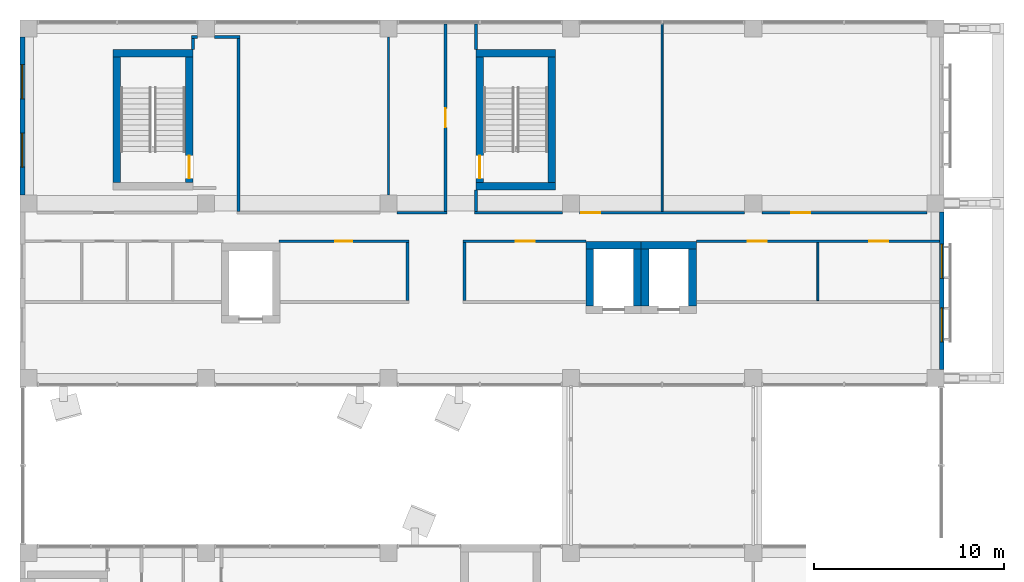
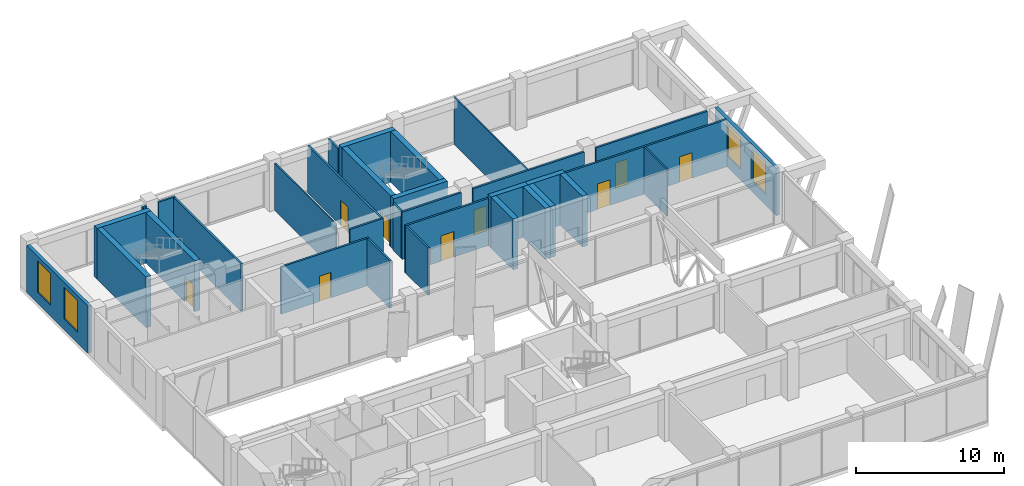
# One storey, part 30 of 38: 34 walls, 9 doors, 4 windows, 13 openings.
"""IFC4 building model written with IfcOpenShell, lengths in metres."""

from ifc_helpers import new_model, si_unit, direction, frame, frame_2d, origin, place, context, subcontext, project, spatial, rectangle, extrude, material, layer, layer_set, layer_usage, type_object, element, fill, save


model = new_model("IFC4")

# Units and contexts
model_context = context("Model", 3, precision=1e-05, world=origin(), true_north=direction((0.0, 1.0)))
body_context = subcontext(model_context, "Body", "Model", "MODEL_VIEW")
ifc_project = project(units=[si_unit("LENGTHUNIT", "METRE"), si_unit("AREAUNIT", "SQUARE_METRE"), si_unit("VOLUMEUNIT", "CUBIC_METRE"), si_unit("PLANEANGLEUNIT", "RADIAN"), si_unit("MASSUNIT", "GRAM", prefix="KILO")], contexts=[model_context])

# Site, building, storey
site_placement = place(None, origin())
site = spatial("IfcSite", under=ifc_project, at=site_placement, CompositionType="ELEMENT")
building_placement = place(site_placement, origin())
building = spatial("IfcBuilding", under=site, at=building_placement, Name="Nzadi Deep Aquarium and Research Tower", CompositionType="ELEMENT")
storey_placement = place(building_placement, frame((0.0, 0.0, 48.699951171875)))
storey = spatial("IfcBuildingStorey", under=building, at=storey_placement, Name="L09", CompositionType="ELEMENT", Elevation=48.699951171875)

# Wall, openings, windows
ifc_material_1 = material(Name="Concrete C35/45", Category="concrete")
ifc_layer_1 = layer(ifc_material_1, 0.14990234375, Category="cladding")
ifc_material_2 = material(Name="Mineral wool insulation")
ifc_layer_2 = layer(ifc_material_2, 0.070068359375, Category="insulation")
ifc_material_3 = material(Name="Gypsum board lining")
ifc_layer_3 = layer(ifc_material_3, 0.030029296875, Category="lining")
ifc_layer_set_1 = layer_set([ifc_layer_1, ifc_layer_2, ifc_layer_3], Name="Concrete C35/45, Mineral wool insulation, Gypsum board lining")
ifc_layer_usage_1 = layer_usage(ifc_layer_set_1, "AXIS2", "POSITIVE", -0.125)
wall_type_1 = type_object("IfcWallType", Name="End wall board-formed concrete 250", PredefinedType="ELEMENTEDWALL", material=ifc_layer_set_1)
wall_1_placement = place(storey_placement, frame((-0.074462890625, 45.550048828125, 0.0), z_axis=(0.0, 0.0, 1.0), x_axis=(0.0, -1.0, 0.0)))
wall_1 = element("IfcWall", 1, at=wall_1_placement, inside=storey, type_object=wall_type_1, material=ifc_layer_usage_1, Name="End wall blade B west L09", PredefinedType="ELEMENTEDWALL", context=body_context, shape_type="SweptSolid", body=[
    extrude(rectangle(XDim=8.300048828125, YDim=0.25, at=frame_2d((4.14990234375, 0.0))), origin(), (0.0, 0.0, 1.0), 3.900146484375),
])
opening_1_placement = place(wall_1_placement, frame((5.050048828125, 0.0, 0.89990234375)))
opening_1 = element("IfcOpeningElement", 2, at=opening_1_placement, cuts=wall_1, Name="Opening WN01", PredefinedType="OPENING", context=body_context, shape_type="SweptSolid", body=[
    extrude(rectangle(XDim=1.800048828125, YDim=2.60009765625, at=frame_2d((0.89990234375, 1.300048828125))), frame((0.0, 0.135009765625, 0.0), z_axis=(0.0, -1.0, 0.0), x_axis=(1.0, 0.0, 0.0)), (0.0, 0.0, 1.0), 0.27001953125),
])
opening_2_placement = place(wall_1_placement, frame((1.449951171875, 0.0, 0.89990234375)))
opening_2 = element("IfcOpeningElement", 3, at=opening_2_placement, cuts=wall_1, Name="Opening WN01", PredefinedType="OPENING", context=body_context, shape_type="SweptSolid", body=[
    extrude(rectangle(XDim=1.800048828125, YDim=2.60009765625, at=frame_2d((0.89990234375, 1.300048828125))), frame((0.0, 0.135009765625, 0.0), z_axis=(0.0, -1.0, 0.0), x_axis=(1.0, 0.0, 0.0)), (0.0, 0.0, 1.0), 0.27001953125),
])
ifc_material_4 = material(Name="Aluminium window, sage tint glazing", Category="aluminium")
window_type = type_object("IfcWindowType", Name="Slot window 1800x2600 sill 900", PartitioningType="SINGLE_PANEL", PredefinedType="WINDOW", material=ifc_material_4)
window_1_placement = place(opening_1_placement, origin())
window_1 = element("IfcWindow", 4, at=window_1_placement, inside=storey, type_object=window_type, Name="Slot window L09 BW", OverallHeight=2.60009765625, OverallWidth=1.800048828125, PartitioningType="SINGLE_PANEL", PredefinedType="WINDOW", context=body_context, shape_type="SweptSolid", body=[
    extrude(rectangle(XDim=1.800048828125, YDim=2.60009765625, at=frame_2d((0.89990234375, 1.300048828125))), frame((0.0, 0.030029296875, 0.0), z_axis=(0.0, -1.0, 0.0), x_axis=(1.0, 0.0, 0.0)), (0.0, 0.0, 1.0), 0.06005859375),
])
fill(opening_1, window_1)
window_2_placement = place(opening_2_placement, origin())
window_2 = element("IfcWindow", 5, at=window_2_placement, inside=storey, type_object=window_type, Name="Slot window L09 BW", OverallHeight=2.60009765625, OverallWidth=1.800048828125, PartitioningType="SINGLE_PANEL", PredefinedType="WINDOW", context=body_context, shape_type="SweptSolid", body=[
    extrude(rectangle(XDim=1.800048828125, YDim=2.60009765625, at=frame_2d((0.89990234375, 1.300048828125))), frame((0.0, 0.030029296875, 0.0), z_axis=(0.0, -1.0, 0.0), x_axis=(1.0, 0.0, 0.0)), (0.0, 0.0, 1.0), 0.06005859375),
])
fill(opening_2, window_2)

ifc_material_5 = material(Name="Graphite aluminium shingle", Category="aluminium")
ifc_layer_4 = layer(ifc_material_5, 0.050048828125, Category="cladding")
ifc_layer_5 = layer(ifc_material_1, 0.10009765625, Category="cladding")
ifc_layer_6 = layer(ifc_material_2, 0.070068359375, Category="insulation")
ifc_layer_7 = layer(ifc_material_3, 0.030029296875, Category="lining")
ifc_layer_set_2 = layer_set([ifc_layer_4, ifc_layer_5, ifc_layer_6, ifc_layer_7], Name="Graphite aluminium shingle, Concrete C35/45, Mineral wool insulation, Gypsum board lining")
ifc_layer_usage_2 = layer_usage(ifc_layer_set_2, "AXIS2", "POSITIVE", -0.125)
wall_type_2 = type_object("IfcWallType", Name="End wall shingle over board-formed concrete 250", PredefinedType="ELEMENTEDWALL", material=ifc_layer_set_2)
wall_2_placement = place(storey_placement, frame((48.324951171875, 28.050048828125, 0.0), z_axis=(0.0, 0.0, 1.0), x_axis=(0.0, 1.0, 0.0)))
wall_2 = element("IfcWall", 6, at=wall_2_placement, inside=storey, type_object=wall_type_2, material=ifc_layer_usage_2, Name="End wall blade B east L09", PredefinedType="ELEMENTEDWALL", context=body_context, shape_type="SweptSolid", body=[
    extrude(rectangle(XDim=8.300048828125, YDim=0.25, at=frame_2d((4.14990234375, 0.0))), origin(), (0.0, 0.0, 1.0), 3.900146484375),
])
opening_3_placement = place(wall_2_placement, frame((1.449951171875, 0.0, 0.89990234375)))
opening_3 = element("IfcOpeningElement", 7, at=opening_3_placement, cuts=wall_2, Name="Opening WN01", PredefinedType="OPENING", context=body_context, shape_type="SweptSolid", body=[
    extrude(rectangle(XDim=1.800048828125, YDim=2.60009765625, at=frame_2d((0.89990234375, 1.300048828125))), frame((0.0, 0.135009765625, 0.0), z_axis=(0.0, -1.0, 0.0), x_axis=(1.0, 0.0, 0.0)), (0.0, 0.0, 1.0), 0.27001953125),
])
opening_4_placement = place(wall_2_placement, frame((4.800048828125, 0.0, 0.89990234375)))
opening_4 = element("IfcOpeningElement", 8, at=opening_4_placement, cuts=wall_2, Name="Opening WN01", PredefinedType="OPENING", context=body_context, shape_type="SweptSolid", body=[
    extrude(rectangle(XDim=1.800048828125, YDim=2.60009765625, at=frame_2d((0.89990234375, 1.300048828125))), frame((0.0, 0.135009765625, 0.0), z_axis=(0.0, -1.0, 0.0), x_axis=(1.0, 0.0, 0.0)), (0.0, 0.0, 1.0), 0.27001953125),
])
window_3_placement = place(opening_3_placement, origin())
window_3 = element("IfcWindow", 9, at=window_3_placement, inside=storey, type_object=window_type, Name="Slot window L09 BE", OverallHeight=2.60009765625, OverallWidth=1.800048828125, PartitioningType="SINGLE_PANEL", PredefinedType="WINDOW", context=body_context, shape_type="SweptSolid", body=[
    extrude(rectangle(XDim=1.800048828125, YDim=2.60009765625, at=frame_2d((0.89990234375, 1.300048828125))), frame((0.0, 0.030029296875, 0.0), z_axis=(0.0, -1.0, 0.0), x_axis=(1.0, 0.0, 0.0)), (0.0, 0.0, 1.0), 0.06005859375),
])
fill(opening_3, window_3)
window_4_placement = place(opening_4_placement, origin())
window_4 = element("IfcWindow", 10, at=window_4_placement, inside=storey, type_object=window_type, Name="Slot window L09 BE", OverallHeight=2.60009765625, OverallWidth=1.800048828125, PartitioningType="SINGLE_PANEL", PredefinedType="WINDOW", context=body_context, shape_type="SweptSolid", body=[
    extrude(rectangle(XDim=1.800048828125, YDim=2.60009765625, at=frame_2d((0.89990234375, 1.300048828125))), frame((0.0, 0.030029296875, 0.0), z_axis=(0.0, -1.0, 0.0), x_axis=(1.0, 0.0, 0.0)), (0.0, 0.0, 1.0), 0.06005859375),
])
fill(opening_4, window_4)

# Walls
ifc_material_6 = material(Name="Blockwork masonry", Category="masonry")
ifc_layer_8 = layer(ifc_material_6, 0.10009765625)
ifc_layer_set_3 = layer_set([ifc_layer_8], Name="Blockwork masonry")
wall_type_3 = type_object("IfcWallType", Name="Partition 100 EI 30", PredefinedType="PARTITIONING", material=ifc_layer_set_3)
wall_3_placement = place(storey_placement, frame((19.199951171875, 37.25, 0.0), z_axis=(0.0, 0.0, 1.0), x_axis=(0.0, 1.0, 0.0)))
element("IfcWall", 11, at=wall_3_placement, inside=storey, type_object=wall_type_3, Name="W-Z1-L09-P024", PredefinedType="PARTITIONING", context=body_context, shape_type="SweptSolid", body=[
    extrude(rectangle(XDim=8.300048828125, YDim=0.10009765625, at=frame_2d((4.14990234375, 0.0))), origin(), (0.0, 0.0, 1.0), 3.900146484375),
])
wall_4_placement = place(storey_placement, frame((33.60009765625, 36.375, 0.0), z_axis=(0.0, 0.0, 1.0), x_axis=(0.0, 1.0, 0.0)))
element("IfcWall", 12, at=wall_4_placement, inside=storey, type_object=wall_type_3, Name="W-Z1-L09-P036", PredefinedType="PARTITIONING", context=body_context, shape_type="SweptSolid", body=[
    extrude(rectangle(XDim=9.868896484375, YDim=0.10009765625, at=frame_2d((4.9345703125, 0.0))), origin(), (0.0, 0.0, 1.0), 3.900146484375),
])
wall_5_placement = place(storey_placement, frame((41.800048828125, 31.675048828125, 0.0), z_axis=(0.0, 0.0, 1.0), x_axis=(0.0, 1.0, 0.0)))
element("IfcWall", 13, at=wall_5_placement, inside=storey, type_object=wall_type_3, Name="W-Z1-L09-P042", PredefinedType="PARTITIONING", context=body_context, shape_type="SweptSolid", body=[
    extrude(rectangle(XDim=3.050048828125, YDim=0.10009765625, at=frame_2d((1.52490234375, 0.0))), origin(), (0.0, 0.0, 1.0), 3.900146484375),
])
ifc_material_7 = material(Name="Blockwork masonry", Category="masonry")
ifc_layer_9 = layer(ifc_material_7, 0.14990234375)
ifc_layer_set_4 = layer_set([ifc_layer_9], Name="Blockwork masonry")
wall_type_4 = type_object("IfcWallType", Name="Partition 150 EI 60", PredefinedType="PARTITIONING", material=ifc_layer_set_4)
wall_6_placement = place(storey_placement, frame((8.89990234375, 44.906005859375, 0.0), z_axis=(0.0, 0.0, 1.0), x_axis=(0.0, 1.0, 0.0)))
element("IfcWall", 14, at=wall_6_placement, inside=storey, type_object=wall_type_4, Name="W-Z1-L09-P014", PredefinedType="PARTITIONING", context=body_context, shape_type="SweptSolid", body=[
    extrude(rectangle(XDim=0.569091796875, YDim=0.14990234375, at=frame_2d((0.28466796875, 0.0))), origin(), (0.0, 0.0, 1.0), 3.900146484375),
])
wall_7_placement = place(storey_placement, frame((8.824951171875, 45.550048828125, 0.0), z_axis=(0.0, 0.0, 1.0), x_axis=(1.0, 0.0, 0.0)))
element("IfcWall", 15, at=wall_7_placement, inside=storey, type_object=wall_type_4, Name="W-Z1-L09-P015", PredefinedType="PARTITIONING", context=body_context, shape_type="SweptSolid", body=[
    extrude(rectangle(XDim=0.324951171875, YDim=0.14990234375, at=frame_2d((0.16259765625, 0.0))), origin(), (0.0, 0.0, 1.0), 3.900146484375),
])
wall_8_placement = place(storey_placement, frame((10.050048828125, 45.550048828125, 0.0), z_axis=(0.0, 0.0, 1.0), x_axis=(1.0, 0.0, 0.0)))
element("IfcWall", 16, at=wall_8_placement, inside=storey, type_object=wall_type_4, Name="W-Z1-L09-P017", PredefinedType="PARTITIONING", context=body_context, shape_type="SweptSolid", body=[
    extrude(rectangle(XDim=1.324951171875, YDim=0.14990234375, at=frame_2d((0.66259765625, 0.0))), origin(), (0.0, 0.0, 1.0), 3.900146484375),
])
wall_9_placement = place(storey_placement, frame((11.300048828125, 36.375, 0.0), z_axis=(0.0, 0.0, 1.0), x_axis=(0.0, 1.0, 0.0)))
element("IfcWall", 17, at=wall_9_placement, inside=storey, type_object=wall_type_4, Name="W-Z1-L09-P020", PredefinedType="PARTITIONING", context=body_context, shape_type="SweptSolid", body=[
    extrude(rectangle(XDim=9.10009765625, YDim=0.14990234375, at=frame_2d((4.550048828125, 0.0))), origin(), (0.0, 0.0, 1.0), 3.900146484375),
])

# Wall, opening, door
wall_10_placement = place(storey_placement, frame((13.425048828125, 34.800048828125, 0.0), z_axis=(0.0, 0.0, 1.0), x_axis=(1.0, 0.0, 0.0)))
wall_10 = element("IfcWall", 18, at=wall_10_placement, inside=storey, type_object=wall_type_4, Name="W-Z1-L09-P021", PredefinedType="PARTITIONING", context=body_context, shape_type="SweptSolid", body=[
    extrude(rectangle(XDim=6.849853515625, YDim=0.14990234375, at=frame_2d((3.4248046875, 0.0))), origin(), (0.0, 0.0, 1.0), 3.900146484375),
])
opening_5_placement = place(wall_10_placement, frame((2.97509765625, 0.0, 0.0)))
opening_5 = element("IfcOpeningElement", 19, at=opening_5_placement, cuts=wall_10, Name="Opening D101015", PredefinedType="OPENING", context=body_context, shape_type="SweptSolid", body=[
    extrude(rectangle(XDim=0.89990234375, YDim=2.10009765625, at=frame_2d((0.449951171875, 1.050048828125))), frame((0.0, 0.0849609375, 0.0), z_axis=(0.0, -1.0, 0.0), x_axis=(1.0, 0.0, 0.0)), (0.0, 0.0, 1.0), 0.169921875),
])
ifc_material_8 = material(Name="Fire-rated steel door", Category="steel")
ifc_layer_10 = layer(ifc_material_8, 0.050048828125)
ifc_layer_set_5 = layer_set([ifc_layer_10], Name="Fire-rated steel door")
door_type_1 = type_object("IfcDoorType", Name="Door 900x2100 EI 60 single", OperationType="SINGLE_SWING_LEFT", PredefinedType="DOOR", material=ifc_layer_set_5)
door_1_placement = place(opening_5_placement, origin())
door_1 = element("IfcDoor", 20, at=door_1_placement, inside=storey, type_object=door_type_1, Name="D101015", OperationType="SINGLE_SWING_RIGHT", OverallHeight=2.10009765625, OverallWidth=0.89990234375, PredefinedType="DOOR", context=body_context, shape_type="SweptSolid", body=[
    extrude(rectangle(XDim=0.89990234375, YDim=2.10009765625, at=frame_2d((0.449951171875, 1.050048828125))), frame((0.0, 0.02490234375, 0.0), z_axis=(0.0, -1.0, 0.0), x_axis=(1.0, 0.0, 0.0)), (0.0, 0.0, 1.0), 0.050048828125),
])
fill(opening_5, door_1)

# Walls
wall_11_placement = place(storey_placement, frame((19.64990234375, 36.300048828125, 0.0), z_axis=(0.0, 0.0, 1.0), x_axis=(1.0, 0.0, 0.0)))
element("IfcWall", 21, at=wall_11_placement, inside=storey, type_object=wall_type_4, Name="W-Z1-L09-P025", PredefinedType="PARTITIONING", context=body_context, shape_type="SweptSolid", body=[
    extrude(rectangle(XDim=2.625, YDim=0.14990234375, at=frame_2d((1.3125, 0.0))), origin(), (0.0, 0.0, 1.0), 3.900146484375),
])
wall_12_placement = place(storey_placement, frame((20.199951171875, 31.675048828125, 0.0), z_axis=(0.0, 0.0, 1.0), x_axis=(0.0, 1.0, 0.0)))
element("IfcWall", 22, at=wall_12_placement, inside=storey, type_object=wall_type_4, Name="W-Z1-L09-P026", PredefinedType="PARTITIONING", context=body_context, shape_type="SweptSolid", body=[
    extrude(rectangle(XDim=3.050048828125, YDim=0.14990234375, at=frame_2d((1.52490234375, 0.0))), origin(), (0.0, 0.0, 1.0), 3.900146484375),
])

# Wall, opening, door
wall_13_placement = place(storey_placement, frame((22.199951171875, 36.375, 0.0), z_axis=(0.0, 0.0, 1.0), x_axis=(0.0, 1.0, 0.0)))
wall_13 = element("IfcWall", 23, at=wall_13_placement, inside=storey, type_object=wall_type_4, Name="W-Z1-L09-P027", PredefinedType="PARTITIONING", context=body_context, shape_type="SweptSolid", body=[
    extrude(rectangle(XDim=9.868896484375, YDim=0.14990234375, at=frame_2d((4.9345703125, 0.0))), origin(), (0.0, 0.0, 1.0), 3.900146484375),
])
opening_6_placement = place(wall_13_placement, frame((4.425048828125, 0.0, 0.0)))
opening_6 = element("IfcOpeningElement", 24, at=opening_6_placement, cuts=wall_13, Name="Opening D101020", PredefinedType="OPENING", context=body_context, shape_type="SweptSolid", body=[
    extrude(rectangle(XDim=1.0, YDim=2.10009765625, at=frame_2d((0.5, 1.050048828125))), frame((0.0, 0.0849609375, 0.0), z_axis=(0.0, -1.0, 0.0), x_axis=(1.0, 0.0, 0.0)), (0.0, 0.0, 1.0), 0.169921875),
])
ifc_material_9 = material(Name="Fire-rated steel door", Category="steel")
ifc_layer_11 = layer(ifc_material_9, 0.050048828125)
ifc_layer_set_6 = layer_set([ifc_layer_11], Name="Fire-rated steel door")
door_type_2 = type_object("IfcDoorType", Name="Door 1000x2100 EI 60 single", OperationType="SINGLE_SWING_LEFT", PredefinedType="DOOR", material=ifc_layer_set_6)
door_2_placement = place(opening_6_placement, origin())
door_2 = element("IfcDoor", 25, at=door_2_placement, inside=storey, type_object=door_type_2, Name="D101020", OperationType="SINGLE_SWING_RIGHT", OverallHeight=2.10009765625, OverallWidth=1.0, PredefinedType="DOOR", context=body_context, shape_type="SweptSolid", body=[
    extrude(rectangle(XDim=1.0, YDim=2.10009765625, at=frame_2d((0.5, 1.050048828125))), frame((0.0, 0.02490234375, 0.0), z_axis=(0.0, -1.0, 0.0), x_axis=(1.0, 0.0, 0.0)), (0.0, 0.0, 1.0), 0.050048828125),
])
fill(opening_6, door_2)

# Wall
wall_14_placement = place(storey_placement, frame((23.199951171875, 31.675048828125, 0.0), z_axis=(0.0, 0.0, 1.0), x_axis=(0.0, 1.0, 0.0)))
element("IfcWall", 26, at=wall_14_placement, inside=storey, type_object=wall_type_4, Name="W-Z1-L09-P029", PredefinedType="PARTITIONING", context=body_context, shape_type="SweptSolid", body=[
    extrude(rectangle(XDim=3.050048828125, YDim=0.14990234375, at=frame_2d((1.52490234375, 0.0))), origin(), (0.0, 0.0, 1.0), 3.900146484375),
])

# Wall, opening, door
wall_15_placement = place(storey_placement, frame((23.125, 34.800048828125, 0.0), z_axis=(0.0, 0.0, 1.0), x_axis=(1.0, 0.0, 0.0)))
wall_15 = element("IfcWall", 27, at=wall_15_placement, inside=storey, type_object=wall_type_4, Name="W-Z1-L09-P030", PredefinedType="PARTITIONING", context=body_context, shape_type="SweptSolid", body=[
    extrude(rectangle(XDim=6.468994140625, YDim=0.14990234375, at=frame_2d((3.234375, 0.0))), origin(), (0.0, 0.0, 1.0), 3.900146484375),
])
opening_7_placement = place(wall_15_placement, frame((2.77490234375, 0.0, 0.0)))
opening_7 = element("IfcOpeningElement", 28, at=opening_7_placement, cuts=wall_15, Name="Opening D101016", PredefinedType="OPENING", context=body_context, shape_type="SweptSolid", body=[
    extrude(rectangle(XDim=1.0, YDim=2.10009765625, at=frame_2d((0.5, 1.050048828125))), frame((0.0, 0.0849609375, 0.0), z_axis=(0.0, -1.0, 0.0), x_axis=(1.0, 0.0, 0.0)), (0.0, 0.0, 1.0), 0.169921875),
])
door_3_placement = place(opening_7_placement, origin())
door_3 = element("IfcDoor", 29, at=door_3_placement, inside=storey, type_object=door_type_2, Name="D101016", OperationType="SINGLE_SWING_LEFT", OverallHeight=2.10009765625, OverallWidth=1.0, PredefinedType="DOOR", context=body_context, shape_type="SweptSolid", body=[
    extrude(rectangle(XDim=1.0, YDim=2.10009765625, at=frame_2d((0.5, 1.050048828125))), frame((0.0, 0.02490234375, 0.0), z_axis=(0.0, -1.0, 0.0), x_axis=(1.0, 0.0, 0.0)), (0.0, 0.0, 1.0), 0.050048828125),
])
fill(opening_7, door_3)

# Walls
wall_16_placement = place(storey_placement, frame((23.72509765625, 36.300048828125, 0.0), z_axis=(0.0, 0.0, 1.0), x_axis=(1.0, 0.0, 0.0)))
element("IfcWall", 30, at=wall_16_placement, inside=storey, type_object=wall_type_4, Name="W-Z1-L09-P031", PredefinedType="PARTITIONING", context=body_context, shape_type="SweptSolid", body=[
    extrude(rectangle(XDim=4.625, YDim=0.14990234375, at=frame_2d((2.3125, 0.0))), origin(), (0.0, 0.0, 1.0), 3.900146484375),
])
wall_17_placement = place(storey_placement, frame((23.800048828125, 36.375, 0.0), z_axis=(0.0, 0.0, 1.0), x_axis=(0.0, 1.0, 0.0)))
element("IfcWall", 31, at=wall_17_placement, inside=storey, type_object=wall_type_4, Name="W-Z1-L09-P032", PredefinedType="PARTITIONING", context=body_context, shape_type="SweptSolid", body=[
    extrude(rectangle(XDim=1.118896484375, YDim=0.14990234375, at=frame_2d((0.5595703125, 0.0))), origin(), (0.0, 0.0, 1.0), 3.900146484375),
])
wall_18_placement = place(storey_placement, frame((23.800048828125, 44.906005859375, 0.0), z_axis=(0.0, 0.0, 1.0), x_axis=(0.0, 1.0, 0.0)))
element("IfcWall", 32, at=wall_18_placement, inside=storey, type_object=wall_type_4, Name="W-Z1-L09-P033", PredefinedType="PARTITIONING", context=body_context, shape_type="SweptSolid", body=[
    extrude(rectangle(XDim=1.337890625, YDim=0.14990234375, at=frame_2d((0.6689453125, 0.0))), origin(), (0.0, 0.0, 1.0), 3.900146484375),
])

# Wall, opening, door
wall_19_placement = place(storey_placement, frame((29.25, 36.300048828125, 0.0), z_axis=(0.0, 0.0, 1.0), x_axis=(1.0, 0.0, 0.0)))
wall_19 = element("IfcWall", 33, at=wall_19_placement, inside=storey, type_object=wall_type_4, Name="W-Z1-L09-P035", PredefinedType="PARTITIONING", context=body_context, shape_type="SweptSolid", body=[
    extrude(rectangle(XDim=8.699951171875, YDim=0.14990234375, at=frame_2d((4.35009765625, 0.0))), origin(), (0.0, 0.0, 1.0), 3.900146484375),
])
opening_8_placement = place(wall_19_placement, frame((0.10009765625, 0.0, 0.0)))
opening_8 = element("IfcOpeningElement", 34, at=opening_8_placement, cuts=wall_19, Name="Opening D101021", PredefinedType="OPENING", context=body_context, shape_type="SweptSolid", body=[
    extrude(rectangle(XDim=1.0, YDim=2.10009765625, at=frame_2d((0.5, 1.050048828125))), frame((0.0, 0.0849609375, 0.0), z_axis=(0.0, -1.0, 0.0), x_axis=(1.0, 0.0, 0.0)), (0.0, 0.0, 1.0), 0.169921875),
])
door_4_placement = place(opening_8_placement, origin())
door_4 = element("IfcDoor", 35, at=door_4_placement, inside=storey, type_object=door_type_2, Name="D101021", OperationType="SINGLE_SWING_LEFT", OverallHeight=2.10009765625, OverallWidth=1.0, PredefinedType="DOOR", context=body_context, shape_type="SweptSolid", body=[
    extrude(rectangle(XDim=1.0, YDim=2.10009765625, at=frame_2d((0.5, 1.050048828125))), frame((0.0, 0.02490234375, 0.0), z_axis=(0.0, -1.0, 0.0), x_axis=(1.0, 0.0, 0.0)), (0.0, 0.0, 1.0), 0.050048828125),
])
fill(opening_8, door_4)

# Wall, openings, doors
wall_20_placement = place(storey_placement, frame((35.406005859375, 34.800048828125, 0.0), z_axis=(0.0, 0.0, 1.0), x_axis=(1.0, 0.0, 0.0)))
wall_20 = element("IfcWall", 36, at=wall_20_placement, inside=storey, type_object=wall_type_4, Name="W-Z1-L09-P038", PredefinedType="PARTITIONING", context=body_context, shape_type="SweptSolid", body=[
    extrude(rectangle(XDim=12.7880859375, YDim=0.14990234375, at=frame_2d((6.39404296875, 0.0))), origin(), (0.0, 0.0, 1.0), 3.900146484375),
])
opening_9_placement = place(wall_20_placement, frame((2.694091796875, 0.0, 0.0)))
opening_9 = element("IfcOpeningElement", 37, at=opening_9_placement, cuts=wall_20, Name="Opening D101017", PredefinedType="OPENING", context=body_context, shape_type="SweptSolid", body=[
    extrude(rectangle(XDim=1.0, YDim=2.10009765625, at=frame_2d((0.5, 1.050048828125))), frame((0.0, 0.0849609375, 0.0), z_axis=(0.0, -1.0, 0.0), x_axis=(1.0, 0.0, 0.0)), (0.0, 0.0, 1.0), 0.169921875),
])
opening_10_placement = place(wall_20_placement, frame((9.093994140625, 0.0, 0.0)))
opening_10 = element("IfcOpeningElement", 38, at=opening_10_placement, cuts=wall_20, Name="Opening D101018", PredefinedType="OPENING", context=body_context, shape_type="SweptSolid", body=[
    extrude(rectangle(XDim=1.0, YDim=2.10009765625, at=frame_2d((0.5, 1.050048828125))), frame((0.0, 0.0849609375, 0.0), z_axis=(0.0, -1.0, 0.0), x_axis=(1.0, 0.0, 0.0)), (0.0, 0.0, 1.0), 0.169921875),
])
door_5_placement = place(opening_9_placement, origin())
door_5 = element("IfcDoor", 39, at=door_5_placement, inside=storey, type_object=door_type_2, Name="D101017", OperationType="SINGLE_SWING_RIGHT", OverallHeight=2.10009765625, OverallWidth=1.0, PredefinedType="DOOR", context=body_context, shape_type="SweptSolid", body=[
    extrude(rectangle(XDim=1.0, YDim=2.10009765625, at=frame_2d((0.5, 1.050048828125))), frame((0.0, 0.02490234375, 0.0), z_axis=(0.0, -1.0, 0.0), x_axis=(1.0, 0.0, 0.0)), (0.0, 0.0, 1.0), 0.050048828125),
])
fill(opening_9, door_5)
door_6_placement = place(opening_10_placement, origin())
door_6 = element("IfcDoor", 40, at=door_6_placement, inside=storey, type_object=door_type_2, Name="D101018", OperationType="SINGLE_SWING_LEFT", OverallHeight=2.10009765625, OverallWidth=1.0, PredefinedType="DOOR", context=body_context, shape_type="SweptSolid", body=[
    extrude(rectangle(XDim=1.0, YDim=2.10009765625, at=frame_2d((0.5, 1.050048828125))), frame((0.0, 0.02490234375, 0.0), z_axis=(0.0, -1.0, 0.0), x_axis=(1.0, 0.0, 0.0)), (0.0, 0.0, 1.0), 0.050048828125),
])
fill(opening_10, door_6)

# Wall, opening, door
wall_21_placement = place(storey_placement, frame((38.85009765625, 36.300048828125, 0.0), z_axis=(0.0, 0.0, 1.0), x_axis=(1.0, 0.0, 0.0)))
wall_21 = element("IfcWall", 41, at=wall_21_placement, inside=storey, type_object=wall_type_4, Name="W-Z1-L09-P041", PredefinedType="PARTITIONING", context=body_context, shape_type="SweptSolid", body=[
    extrude(rectangle(XDim=8.699951171875, YDim=0.14990234375, at=frame_2d((4.35009765625, 0.0))), origin(), (0.0, 0.0, 1.0), 3.900146484375),
])
opening_11_placement = place(wall_21_placement, frame((1.550048828125, 0.0, 0.0)))
opening_11 = element("IfcOpeningElement", 42, at=opening_11_placement, cuts=wall_21, Name="Opening D101022", PredefinedType="OPENING", context=body_context, shape_type="SweptSolid", body=[
    extrude(rectangle(XDim=1.0, YDim=2.10009765625, at=frame_2d((0.5, 1.050048828125))), frame((0.0, 0.0849609375, 0.0), z_axis=(0.0, -1.0, 0.0), x_axis=(1.0, 0.0, 0.0)), (0.0, 0.0, 1.0), 0.169921875),
])
door_7_placement = place(opening_11_placement, origin())
door_7 = element("IfcDoor", 43, at=door_7_placement, inside=storey, type_object=door_type_2, Name="D101022", OperationType="SINGLE_SWING_RIGHT", OverallHeight=2.10009765625, OverallWidth=1.0, PredefinedType="DOOR", context=body_context, shape_type="SweptSolid", body=[
    extrude(rectangle(XDim=1.0, YDim=2.10009765625, at=frame_2d((0.5, 1.050048828125))), frame((0.0, 0.02490234375, 0.0), z_axis=(0.0, -1.0, 0.0), x_axis=(1.0, 0.0, 0.0)), (0.0, 0.0, 1.0), 0.050048828125),
])
fill(opening_11, door_7)

# Walls
ifc_material_10 = material(Name="Concrete C35/45", Category="concrete")
ifc_layer_12 = layer(ifc_material_10, 0.39990234375)
ifc_layer_set_7 = layer_set([ifc_layer_12], Name="Concrete C35/45")
wall_type_5 = type_object("IfcWallType", Name="RC core wall 400", PredefinedType="SHEAR", material=ifc_layer_set_7)
wall_22_placement = place(storey_placement, frame((4.699951171875, 44.699951171875, 0.0), z_axis=(0.0, 0.0, 1.0), x_axis=(1.0, 0.0, 0.0)))
element("IfcWall", 44, at=wall_22_placement, inside=storey, type_object=wall_type_5, Name="W-CORE-ST-Z1-NW-L09-N", PredefinedType="SHEAR", context=body_context, shape_type="SweptSolid", body=[
    extrude(rectangle(XDim=4.199951171875, YDim=0.39990234375, at=frame_2d((2.10009765625, 0.0))), origin(), (0.0, 0.0, 1.0), 4.199951171875),
])
wall_23_placement = place(storey_placement, frame((4.89990234375, 37.89990234375, 0.0), z_axis=(0.0, 0.0, 1.0), x_axis=(0.0, 1.0, 0.0)))
element("IfcWall", 45, at=wall_23_placement, inside=storey, type_object=wall_type_5, Name="W-CORE-ST-Z1-NW-L09-W", PredefinedType="SHEAR", context=body_context, shape_type="SweptSolid", body=[
    extrude(rectangle(XDim=6.60009765625, YDim=0.39990234375, at=frame_2d((3.300048828125, 0.0))), origin(), (0.0, 0.0, 1.0), 4.199951171875),
])

# Wall, opening, door
wall_24_placement = place(storey_placement, frame((8.699951171875, 37.89990234375, 0.0), z_axis=(0.0, 0.0, 1.0), x_axis=(0.0, 1.0, 0.0)))
wall_24 = element("IfcWall", 46, at=wall_24_placement, inside=storey, type_object=wall_type_5, Name="W-CORE-ST-Z1-NW-L09-E", PredefinedType="SHEAR", context=body_context, shape_type="SweptSolid", body=[
    extrude(rectangle(XDim=6.60009765625, YDim=0.39990234375, at=frame_2d((3.300048828125, 0.0))), origin(), (0.0, 0.0, 1.0), 4.199951171875),
])
opening_12_placement = place(wall_24_placement, frame((0.2099609375, 0.0, 0.0)))
opening_12 = element("IfcOpeningElement", 47, at=opening_12_placement, cuts=wall_24, Name="Opening DS-Z1-NW-L09", PredefinedType="OPENING", context=body_context, shape_type="SweptSolid", body=[
    extrude(rectangle(XDim=1.199951171875, YDim=2.10009765625, at=frame_2d((0.60009765625, 1.050048828125))), frame((0.0, 0.2099609375, 0.0), z_axis=(0.0, -1.0, 0.0), x_axis=(1.0, 0.0, 0.0)), (0.0, 0.0, 1.0), 0.419921875),
])
ifc_material_11 = material(Name="Steel, powder coated", Category="steel")
door_type_3 = type_object("IfcDoorType", Name="STAIR DOOR 1200x2100 EI 60", OperationType="SINGLE_SWING_LEFT", PredefinedType="DOOR", material=ifc_material_11)
door_8_placement = place(opening_12_placement, origin())
door_8 = element("IfcDoor", 48, at=door_8_placement, inside=storey, type_object=door_type_3, Name="Stair door ST-Z1-NW L09", OperationType="SINGLE_SWING_RIGHT", OverallHeight=2.10009765625, OverallWidth=1.199951171875, PredefinedType="DOOR", context=body_context, shape_type="SweptSolid", body=[
    extrude(rectangle(XDim=1.199951171875, YDim=2.10009765625, at=frame_2d((0.60009765625, 1.050048828125))), frame((0.0, 0.02490234375, 0.0), z_axis=(0.0, -1.0, 0.0), x_axis=(1.0, 0.0, 0.0)), (0.0, 0.0, 1.0), 0.050048828125),
])
fill(opening_12, door_8)

# Walls
for number, where, z_axis, x_axis, name in (
    (49, (23.800048828125, 37.699951171875, 0.0), (0.0, 0.0, 1.0), (1.0, 0.0, 0.0), "W-CORE-ST-Z1-NE-L09-S"),
    (50, (23.800048828125, 44.699951171875, 0.0), (0.0, 0.0, 1.0), (1.0, 0.0, 0.0), "W-CORE-ST-Z1-NE-L09-N"),
):
    element("IfcWall", number, at=place(storey_placement, frame(where, z_axis=z_axis, x_axis=x_axis)), inside=storey, type_object=wall_type_5, Name=name, PredefinedType="SHEAR", context=body_context, shape_type="SweptSolid", body=[
        extrude(rectangle(XDim=4.199951171875, YDim=0.39990234375, at=frame_2d((2.10009765625, 0.0))), origin(), (0.0, 0.0, 1.0), 4.199951171875),
    ])

# Wall, opening, door
wall_25_placement = place(storey_placement, frame((24.0, 37.89990234375, 0.0), z_axis=(0.0, 0.0, 1.0), x_axis=(0.0, 1.0, 0.0)))
wall_25 = element("IfcWall", 51, at=wall_25_placement, inside=storey, type_object=wall_type_5, Name="W-CORE-ST-Z1-NE-L09-W", PredefinedType="SHEAR", context=body_context, shape_type="SweptSolid", body=[
    extrude(rectangle(XDim=6.60009765625, YDim=0.39990234375, at=frame_2d((3.300048828125, 0.0))), origin(), (0.0, 0.0, 1.0), 4.199951171875),
])
opening_13_placement = place(wall_25_placement, frame((0.2099609375, 0.0, 0.0)))
opening_13 = element("IfcOpeningElement", 52, at=opening_13_placement, cuts=wall_25, Name="Opening DS-Z1-NE-L09", PredefinedType="OPENING", context=body_context, shape_type="SweptSolid", body=[
    extrude(rectangle(XDim=1.199951171875, YDim=2.10009765625, at=frame_2d((0.60009765625, 1.050048828125))), frame((0.0, 0.2099609375, 0.0), z_axis=(0.0, -1.0, 0.0), x_axis=(1.0, 0.0, 0.0)), (0.0, 0.0, 1.0), 0.419921875),
])
door_9_placement = place(opening_13_placement, origin())
door_9 = element("IfcDoor", 53, at=door_9_placement, inside=storey, type_object=door_type_3, Name="Stair door ST-Z1-NE L09", OperationType="SINGLE_SWING_LEFT", OverallHeight=2.10009765625, OverallWidth=1.199951171875, PredefinedType="DOOR", context=body_context, shape_type="SweptSolid", body=[
    extrude(rectangle(XDim=1.199951171875, YDim=2.10009765625, at=frame_2d((0.60009765625, 1.050048828125))), frame((0.0, 0.02490234375, 0.0), z_axis=(0.0, -1.0, 0.0), x_axis=(1.0, 0.0, 0.0)), (0.0, 0.0, 1.0), 0.050048828125),
])
fill(opening_13, door_9)

# Walls
wall_26_placement = place(storey_placement, frame((27.800048828125, 37.89990234375, 0.0), z_axis=(0.0, 0.0, 1.0), x_axis=(0.0, 1.0, 0.0)))
element("IfcWall", 54, at=wall_26_placement, inside=storey, type_object=wall_type_5, Name="W-CORE-ST-Z1-NE-L09-E", PredefinedType="SHEAR", context=body_context, shape_type="SweptSolid", body=[
    extrude(rectangle(XDim=6.60009765625, YDim=0.39990234375, at=frame_2d((3.300048828125, 0.0))), origin(), (0.0, 0.0, 1.0), 4.199951171875),
])
wall_27_placement = place(storey_placement, frame((29.60009765625, 34.60009765625, 0.0), z_axis=(0.0, 0.0, 1.0), x_axis=(1.0, 0.0, 0.0)))
element("IfcWall", 55, at=wall_27_placement, inside=storey, type_object=wall_type_5, Name="W-CORE-TL3-L09-N", PredefinedType="SHEAR", context=body_context, shape_type="SweptSolid", body=[
    extrude(rectangle(XDim=2.89990234375, YDim=0.39990234375, at=frame_2d((1.449951171875, 0.0))), origin(), (0.0, 0.0, 1.0), 4.199951171875),
])
for number, where, z_axis, x_axis, name in (
    (56, (29.800048828125, 31.39990234375, 0.0), (0.0, 0.0, 1.0), (0.0, 1.0, 0.0), "W-CORE-TL3-L09-W"),
    (57, (32.300048828125, 31.39990234375, 0.0), (0.0, 0.0, 1.0), (0.0, 1.0, 0.0), "W-CORE-TL3-L09-E"),
):
    element("IfcWall", number, at=place(storey_placement, frame(where, z_axis=z_axis, x_axis=x_axis)), inside=storey, type_object=wall_type_5, Name=name, PredefinedType="SHEAR", context=body_context, shape_type="SweptSolid", body=[
        extrude(rectangle(XDim=3.0, YDim=0.39990234375, at=frame_2d((1.5, 0.0))), origin(), (0.0, 0.0, 1.0), 4.199951171875),
    ])
wall_28_placement = place(storey_placement, frame((32.5, 34.60009765625, 0.0), z_axis=(0.0, 0.0, 1.0), x_axis=(1.0, 0.0, 0.0)))
element("IfcWall", 58, at=wall_28_placement, inside=storey, type_object=wall_type_5, Name="W-CORE-TL4-L09-N", PredefinedType="SHEAR", context=body_context, shape_type="SweptSolid", body=[
    extrude(rectangle(XDim=2.89990234375, YDim=0.39990234375, at=frame_2d((1.449951171875, 0.0))), origin(), (0.0, 0.0, 1.0), 4.199951171875),
])
for number, where, z_axis, x_axis, name in (
    (59, (32.699951171875, 31.39990234375, 0.0), (0.0, 0.0, 1.0), (0.0, 1.0, 0.0), "W-CORE-TL4-L09-W"),
    (60, (35.199951171875, 31.39990234375, 0.0), (0.0, 0.0, 1.0), (0.0, 1.0, 0.0), "W-CORE-TL4-L09-E"),
):
    element("IfcWall", number, at=place(storey_placement, frame(where, z_axis=z_axis, x_axis=x_axis)), inside=storey, type_object=wall_type_5, Name=name, PredefinedType="SHEAR", context=body_context, shape_type="SweptSolid", body=[
        extrude(rectangle(XDim=3.0, YDim=0.39990234375, at=frame_2d((1.5, 0.0))), origin(), (0.0, 0.0, 1.0), 4.199951171875),
    ])

save(model, "model.ifc")
